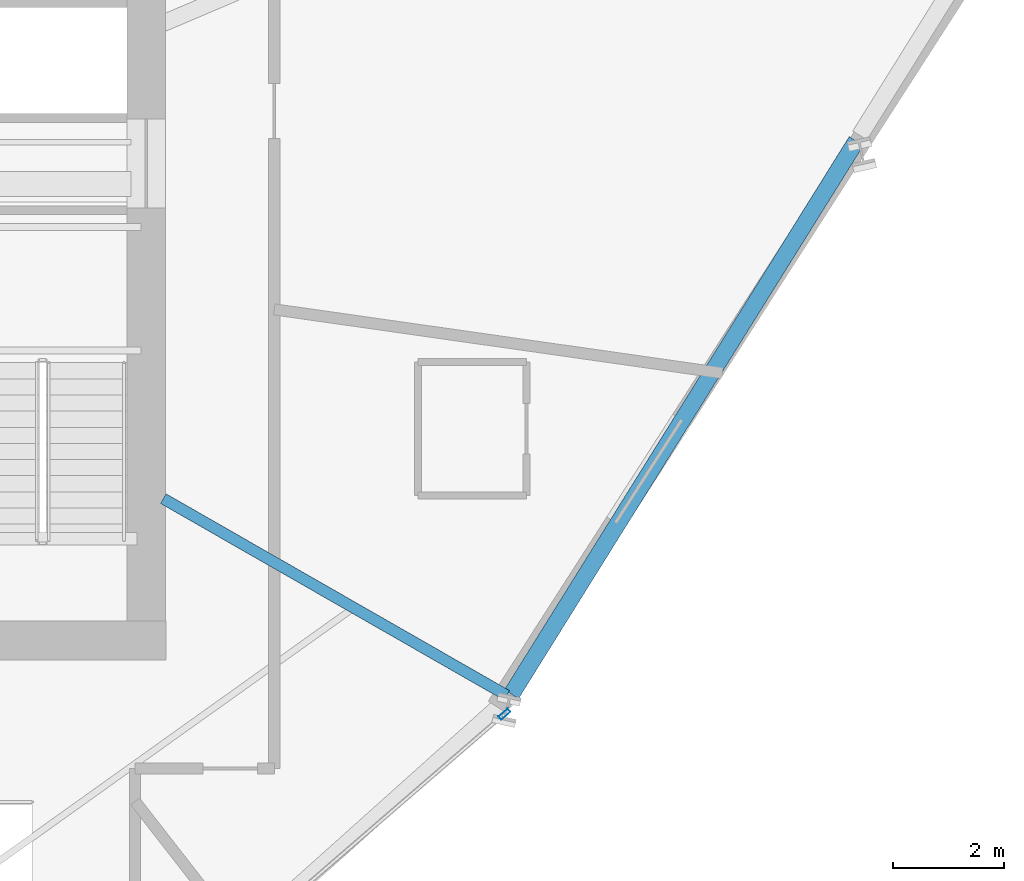
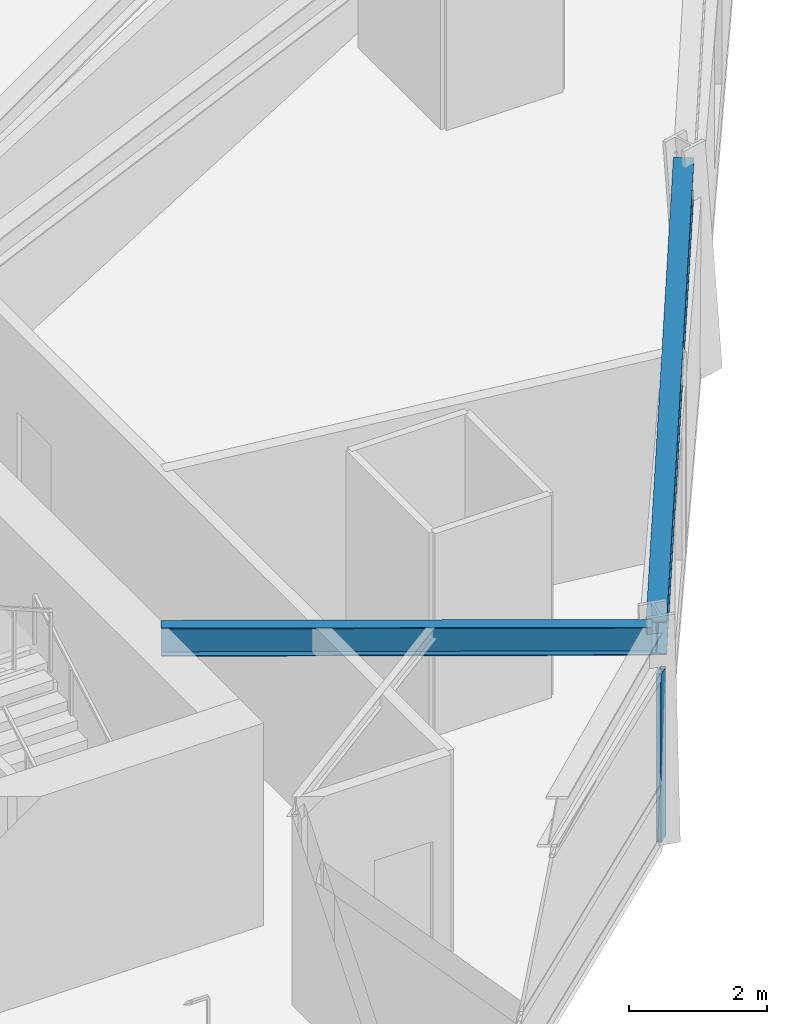
# One storey, part 7 of 16: 2 beams, 1 member, 1 element without a shape of its own.
"""IFC4 building model written with IfcOpenShell, lengths in metres."""

from ifc_helpers import new_model, si_unit, direction, frame, origin, origin_2d, place, context, subcontext, project, spatial, hollow_rectangle, i_section, extrude, source, transform, mapped, material, material_profile, profile_set, type_object, element, aggregate, save


model = new_model("IFC4")

# Units and contexts
model_context = context("Model", 3, precision=1e-05, world=origin(), true_north=direction((0.0, 1.0)))
body_context = subcontext(model_context, "Body", "Model", "MODEL_VIEW")
ifc_project = project(units=[si_unit("LENGTHUNIT", "METRE"), si_unit("AREAUNIT", "SQUARE_METRE"), si_unit("VOLUMEUNIT", "CUBIC_METRE"), si_unit("PLANEANGLEUNIT", "RADIAN"), si_unit("MASSUNIT", "GRAM", prefix="KILO")], contexts=[model_context])

# Site, building, storey
site_placement = place(None, origin())
site = spatial("IfcSite", under=ifc_project, at=site_placement, CompositionType="ELEMENT")
building_placement = place(site_placement, origin())
building = spatial("IfcBuilding", under=site, at=building_placement, Name="Olszyna Solenne Hotel", CompositionType="ELEMENT")
storey_placement = place(building_placement, frame((0.0, 0.0, 138.10009765625)))
storey = spatial("IfcBuildingStorey", under=building, at=storey_placement, Name="L36", CompositionType="ELEMENT", Elevation=138.10009765625)

# Beams
ifc_material_1 = material(Name="Steel S355J2", Category="steel")
ifc_material_profile_1 = material_profile(ifc_material_1, i_section(OverallWidth=0.300048828125, OverallDepth=0.60009765625, WebThickness=0.015380859375, FlangeThickness=0.030029296875, at=origin_2d()), Name="HEB 600", Category="load-bearing")
ifc_profile_set_1 = profile_set([ifc_material_profile_1], Name="Steel S355J2")
beam_type_1 = type_object("IfcBeamType", Name="BM-S2", PredefinedType="BEAM", material=ifc_profile_set_1)
shared_shape_1 = source(origin(), body_context, "Body", "SweptSolid", [
    extrude(i_section(OverallWidth=0.300048828125, OverallDepth=0.60009765625, WebThickness=0.015380859375, FlangeThickness=0.030029296875, at=origin_2d()), origin(), (0.0, 0.0, 1.0), 11.710693359375),
])
beam_1_placement = place(storey_placement, frame((52.810302734375, 18.184814453125, 3.27978515625), z_axis=(0.529069148801, 0.848578715139, 0.0), x_axis=(-0.848578715139, 0.529069148801, 0.0)))
element("IfcBeam", 1, at=beam_1_placement, inside=storey, type_object=beam_type_1, Name="Perimeter spandrel beam BM-S2 B-L36-1079", PredefinedType="BEAM", context=body_context, shape_type="MappedRepresentation", body=[
    mapped(shared_shape_1, transform((0.0, 0.0, 0.0), x_axis=(1.0, 0.0, 0.0), y_axis=(0.0, 1.0, 0.0), z_axis=(0.0, 0.0, 1.0), scale=1.0)),
])
ifc_material_profile_2 = material_profile(ifc_material_1, i_section(OverallWidth=0.199951171875, OverallDepth=0.5, WebThickness=0.01025390625, FlangeThickness=0.01611328125, at=origin_2d()), Name="IPE 500", Category="load-bearing")
ifc_profile_set_2 = profile_set([ifc_material_profile_2], Name="Steel S355J2")
beam_type_2 = type_object("IfcBeamType", Name="BM-F3", PredefinedType="BEAM", material=ifc_profile_set_2)
shared_shape_2 = source(origin(), body_context, "Body", "SweptSolid", [
    extrude(i_section(OverallWidth=0.199951171875, OverallDepth=0.5, WebThickness=0.01025390625, FlangeThickness=0.01611328125, at=origin_2d()), origin(), (0.0, 0.0, 1.0), 7.110595703125),
])
beam_2_placement = place(storey_placement, frame((52.7265625, 18.16357421875, 3.329833984375), z_axis=(-0.867697494339, 0.497092605375, 0.0), x_axis=(-0.497092605375, -0.867697494339, 0.0)))
element("IfcBeam", 2, at=beam_2_placement, inside=storey, type_object=beam_type_2, Name="Radial floor girder BM-F3 B-L36-1089", PredefinedType="BEAM", context=body_context, shape_type="MappedRepresentation", body=[
    mapped(shared_shape_2, transform((0.0, 0.0, 0.0), x_axis=(1.0, 0.0, 0.0), y_axis=(0.0, 1.0, 0.0), z_axis=(0.0, 0.0, 1.0), scale=1.0)),
])

# Curtain wall, member
ifc_material_2 = material(Name="Anodised bronze aluminium", Category="aluminium")
curtain_wall_type = type_object("IfcCurtainWallType", Name="CW-SYS-6", PredefinedType="NOTDEFINED", material=ifc_material_2)
curtain_wall_placement = place(storey_placement, origin())
curtain_wall = element("IfcCurtainWall", 3, at=curtain_wall_placement, inside=storey, type_object=curtain_wall_type, Name="Unitised curtain wall CW-SYS-6 CW-L36-01", PredefinedType="NOTDEFINED")
ifc_material_profile_3 = material_profile(ifc_material_2, hollow_rectangle(XDim=0.080078125, YDim=0.219970703125, WallThickness=0.0048828125, at=origin_2d()), Name="MULL 220x80x5", Category="load-bearing")
ifc_profile_set_3 = profile_set([ifc_material_profile_3], Name="Anodised bronze aluminium")
member_type = type_object("IfcMemberType", Name="CW-M1", PredefinedType="MULLION", material=ifc_profile_set_3)
shared_shape_3 = source(origin(), body_context, "Body", "SweptSolid", [
    extrude(hollow_rectangle(XDim=0.080078125, YDim=0.219970703125, WallThickness=0.0048828125, at=origin_2d()), origin(), (0.0, 0.0, 1.0), 2.971923828125),
])
member_placement = place(storey_placement, frame((52.68310546875, 17.82666015625, 0.0), z_axis=(0.0, 0.0, 1.0), x_axis=(-0.653804894363, 0.756663174805, 0.0)))
member = element("IfcMember", 4, at=member_placement, type_object=member_type, Name="Curtain-wall mullion CW-M1 CM-L36-01-04", PredefinedType="MULLION", context=body_context, shape_type="MappedRepresentation", body=[
    mapped(shared_shape_3, transform((0.0, 0.0, 0.0), x_axis=(1.0, 0.0, 0.0), y_axis=(0.0, 1.0, 0.0), z_axis=(0.0, 0.0, 1.0), scale=1.0)),
])
aggregate(curtain_wall, [member])

save(model, "model.ifc")
